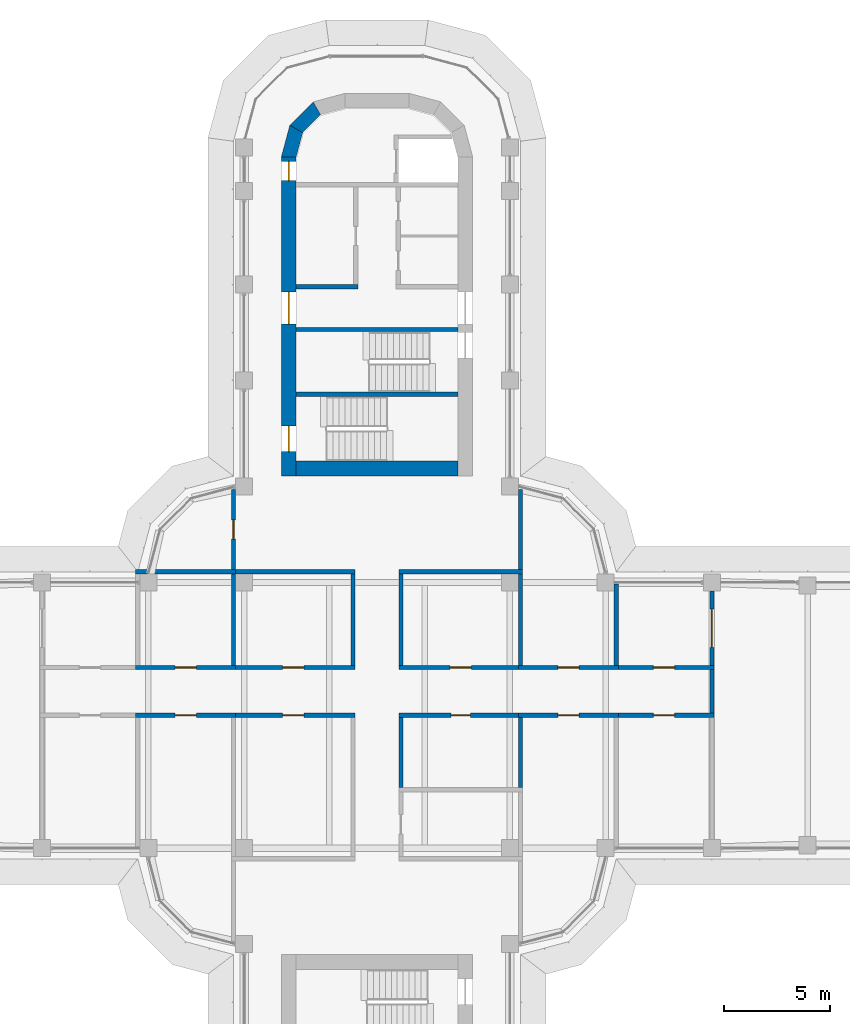
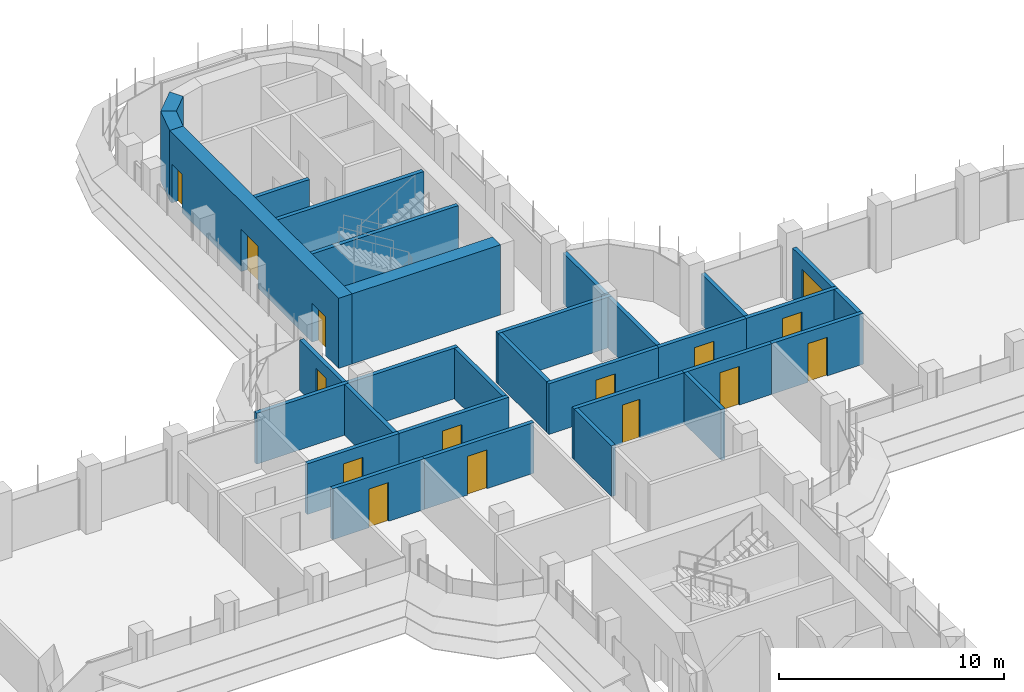
# One storey, part 15 of 20: 31 walls, 15 doors, 15 openings.
"""IFC4 building model written with IfcOpenShell, lengths in metres."""

import ifcopenshell
import ifcopenshell.guid

model = None  # the IFC model being written
_history = None  # IfcOwnerHistory: only IFC2X3 demands one
_inside = {}  # id of a spatial element -> (the spatial element, [elements in it])
_under = {}  # id of a project, library or spatial element -> (it, [spatial elements below it])
_declared = {}  # id of a project -> (the project, [libraries it declares])
_typed = {}  # id of a type object -> (the type object, [elements of that type])
_made_of = {}  # id of a material, layer set ... -> (it, [elements and type objects made of it])


def new_model(schema):
    """Start an empty IFC model of exactly this schema.

    Asked for "IFC4X3", IfcOpenShell would pick the latest addendum, in which some entities
    have other attributes; the version numbers below select the first issue.
    IFC2X3 requires an IfcOwnerHistory on every rooted entity: one is made here for all.
    """
    global model, _history
    if schema == "IFC4X3":
        model = ifcopenshell.file(schema_version=(4, 3, 0, 0))
    else:
        model = ifcopenshell.file(schema=schema)
    _inside.clear()
    _under.clear()
    _declared.clear()
    _typed.clear()
    _made_of.clear()
    _history = None
    if model.schema == "IFC2X3":
        org = make("IfcOrganization", Name="unknown")
        user = make(
            "IfcPersonAndOrganization",
            ThePerson=make("IfcPerson", FamilyName="unknown"),
            TheOrganization=org,
        )
        app = make(
            "IfcApplication",
            ApplicationDeveloper=org,
            Version="unknown",
            ApplicationFullName="unknown",
            ApplicationIdentifier="unknown",
        )
        _history = make(
            "IfcOwnerHistory",
            OwningUser=user,
            OwningApplication=app,
            ChangeAction="ADDED",
            CreationDate=0,
        )
    return model


def make(cls, **values):
    """One entity of the class cls with the attributes given. An attribute that is None is left unset."""
    return model.create_entity(
        cls, **{name: value for name, value in values.items() if value is not None}
    )


def rooted(cls, **values):
    """An entity with a GlobalId (a new one), such as an element, a storey or a relation."""
    return make(cls, GlobalId=ifcopenshell.guid.new(), OwnerHistory=_history, **values)


def si_unit(unit_type, name, prefix=None):
    """IfcSIUnit, for example si_unit("LENGTHUNIT", "METRE", prefix="MILLI")."""
    return make("IfcSIUnit", UnitType=unit_type, Prefix=prefix, Name=name)


def assignment(units):
    """IfcUnitAssignment: the units of a project."""
    return None if units is None else make("IfcUnitAssignment", Units=units)


def point(xyz):
    """IfcCartesianPoint."""
    return None if xyz is None else make("IfcCartesianPoint", Coordinates=xyz)


def direction(xyz):
    """IfcDirection."""
    return None if xyz is None else make("IfcDirection", DirectionRatios=xyz)


def frame(location, z_axis=None, x_axis=None):
    """IfcAxis2Placement3D, a coordinate frame: its origin and axes. An axis left out is left unset."""
    return make(
        "IfcAxis2Placement3D",
        Location=point(location),
        Axis=direction(z_axis),
        RefDirection=direction(x_axis),
    )


def frame_2d(location, x_axis=None):
    """IfcAxis2Placement2D, a coordinate frame in the plane: its origin and x axis."""
    return make(
        "IfcAxis2Placement2D", Location=point(location), RefDirection=direction(x_axis)
    )


def origin():
    """The frame at (0, 0, 0) with its axes left unset."""
    return frame((0.0, 0.0, 0.0))


def place(relative_to, where):
    """IfcLocalPlacement: puts the frame where relative to a parent placement (None: the world)."""
    return make(
        "IfcLocalPlacement", PlacementRelTo=relative_to, RelativePlacement=where
    )


def context(
    kind, dimensions, precision=None, world=None, true_north=None, identifier=None
):
    """IfcGeometricRepresentationContext, for example the 3D "Model" context."""
    return make(
        "IfcGeometricRepresentationContext",
        ContextIdentifier=identifier,
        ContextType=kind,
        CoordinateSpaceDimension=dimensions,
        Precision=precision,
        WorldCoordinateSystem=world,
        TrueNorth=true_north,
    )


def subcontext(parent, identifier, kind, view, scale=None):
    """IfcGeometricRepresentationSubContext, for example "Body" below "Model"."""
    return make(
        "IfcGeometricRepresentationSubContext",
        ContextIdentifier=identifier,
        ContextType=kind,
        ParentContext=parent,
        TargetScale=scale,
        TargetView=view,
    )


def project(units=None, contexts=None):
    """IfcProject with its units and contexts."""
    return rooted(
        "IfcProject",
        Name="project",
        RepresentationContexts=contexts,
        UnitsInContext=assignment(units),
    )


def spatial(cls, under=None, at=None, **own):
    """A site, building, storey or space (cls), placed at a placement, below another one or the project."""
    s = rooted(cls, ObjectPlacement=at, **own)
    if under is not None:
        _under.setdefault(under.id(), (under, []))[1].append(s)
    return s


def polyline(points):
    """IfcPolyline through the points."""
    return make("IfcPolyline", Points=[point(p) for p in points])


def profile(cls, at=None, kind="AREA", **sizes):
    """A parametric profile (cls). Its sizes go by their IFC names, for example OverallWidth=200.0."""
    return make(cls, ProfileType=kind, Position=at, **sizes)


def rectangle(**sizes):
    """IfcRectangleProfileDef."""
    return profile("IfcRectangleProfileDef", **sizes)


def outline(outer, holes=None, kind="AREA"):
    """IfcArbitraryClosedProfileDef: a profile drawn as a closed curve; with holes, ...WithVoids."""
    if holes is None:
        return make("IfcArbitraryClosedProfileDef", ProfileType=kind, OuterCurve=outer)
    return make(
        "IfcArbitraryProfileDefWithVoids",
        ProfileType=kind,
        OuterCurve=outer,
        InnerCurves=holes,
    )


def extrude(swept, where, along, depth):
    """IfcExtrudedAreaSolid: the profile swept, set in the frame where, extruded along a direction by depth."""
    return make(
        "IfcExtrudedAreaSolid",
        SweptArea=swept,
        Position=where,
        ExtrudedDirection=direction(along),
        Depth=depth,
    )


def shape(context_of_items, identifier, shape_type, items):
    """IfcShapeRepresentation: the items that make up one representation, for example the "Body"."""
    return make(
        "IfcShapeRepresentation",
        ContextOfItems=context_of_items,
        RepresentationIdentifier=identifier,
        RepresentationType=shape_type,
        Items=items,
    )


def material(Name=None, Category=None):
    """IfcMaterial."""
    return make("IfcMaterial", Name=Name, Category=Category)


def layer(
    of_material, thickness, ventilated=None, Name=None, Category=None, Priority=None
):
    """IfcMaterialLayer: one layer of a wall or slab, of a material (None: an air gap)."""
    return make(
        "IfcMaterialLayer",
        Material=of_material,
        LayerThickness=thickness,
        IsVentilated=ventilated,
        Name=Name,
        Category=Category,
        Priority=Priority,
    )


def layer_set(layers, Name=None):
    """IfcMaterialLayerSet."""
    return make("IfcMaterialLayerSet", MaterialLayers=layers, LayerSetName=Name)


def made_of(thing, what):
    """Note that an element or type object is made of a material, layer set ...; save() writes the relation."""
    if what is not None:
        _made_of.setdefault(what.id(), (what, []))[1].append(thing)
    return thing


def type_object(cls, material=None, **own):
    """A type object (cls), such as IfcWallType, which elements share."""
    return made_of(rooted(cls, **own), material)


def element(
    cls,
    number,
    at=None,
    inside=None,
    cuts=None,
    type_object=None,
    material=None,
    context=None,
    identifier="Body",
    shape_type=None,
    held_by="IfcProductDefinitionShape",
    body=None,
    shapes=None,
    **own,
):
    """One element of the class cls, such as IfcWall. Its Tag is "e" and its number.

    at: its placement. inside: the storey or other place that contains it. cuts: it is an
    opening in that element (IfcRelVoidsElement). A single representation is given by context,
    identifier, shape_type and body (its items); several are given by shapes. held_by: the class
    of the entity that holds the representations. save() writes the other relations.
    """
    e = rooted(cls, Tag="e%d" % number, ObjectPlacement=at, **own)
    if body is not None:
        shapes = [shape(context, identifier, shape_type, body)]
    if shapes is not None:
        e.Representation = make(held_by, Representations=shapes)
    if inside is not None:
        _inside.setdefault(inside.id(), (inside, []))[1].append(e)
    if cuts is not None:
        rooted(
            "IfcRelVoidsElement", RelatingBuildingElement=cuts, RelatedOpeningElement=e
        )
    if type_object is not None:
        _typed.setdefault(type_object.id(), (type_object, []))[1].append(e)
    return made_of(e, material)


def fill(opening, filler):
    """IfcRelFillsElement: the door or window that sits in an opening."""
    return rooted(
        "IfcRelFillsElement",
        RelatingOpeningElement=opening,
        RelatedBuildingElement=filler,
    )


def aggregate(whole, parts):
    """IfcRelAggregates: a whole, such as a stair, and the parts it consists of."""
    return rooted("IfcRelAggregates", RelatingObject=whole, RelatedObjects=parts)


def save(model, path):
    """Write the relations noted so far, then the file.

    IfcRelAggregates (storeys below a building ...), IfcRelContainedInSpatialStructure (elements
    in a storey), IfcRelDefinesByType, IfcRelAssociatesMaterial and IfcRelDeclares: one each for
    every whole, place, type object, material and project.
    """
    for whole, parts in _under.values():
        aggregate(whole, parts)
    for where, things in _inside.values():
        rooted(
            "IfcRelContainedInSpatialStructure",
            RelatedElements=things,
            RelatingStructure=where,
        )
    for kind, things in _typed.values():
        rooted("IfcRelDefinesByType", RelatedObjects=things, RelatingType=kind)
    for what, things in _made_of.values():
        rooted("IfcRelAssociatesMaterial", RelatedObjects=things, RelatingMaterial=what)
    for by, libraries in _declared.values():
        rooted("IfcRelDeclares", RelatingContext=by, RelatedDefinitions=libraries)
    model.write(path)


model = new_model("IFC4")

# Units and contexts
model_context = context("Model", 3, precision=1e-05, world=origin(), true_north=direction((0.0, 1.0)))
body_context = subcontext(model_context, "Body", "Model", "MODEL_VIEW")
ifc_project = project(units=[si_unit("LENGTHUNIT", "METRE"), si_unit("AREAUNIT", "SQUARE_METRE"), si_unit("VOLUMEUNIT", "CUBIC_METRE"), si_unit("PLANEANGLEUNIT", "RADIAN"), si_unit("MASSUNIT", "GRAM", prefix="KILO")], contexts=[model_context])

# Site, building, storey
site_placement = place(None, origin())
site = spatial("IfcSite", under=ifc_project, at=site_placement, CompositionType="ELEMENT")
building_placement = place(site_placement, origin())
building = spatial("IfcBuilding", under=site, at=building_placement, Name="Zarbagh Exchange Tower", CompositionType="ELEMENT")
storey_placement = place(building_placement, frame((0.0, 0.0, 144.800048828125)))
storey = spatial("IfcBuildingStorey", under=building, at=storey_placement, Name="L34", CompositionType="ELEMENT", Elevation=144.800048828125)

# Wall, opening, door
ifc_material_1 = material(Name="Fire-rated plasterboard partition")
ifc_layer_1 = layer(ifc_material_1, 0.199951171875)
ifc_layer_set_1 = layer_set([ifc_layer_1], Name="RATED PARTITION 200")
wall_type_1 = type_object("IfcWallType", Name="RATED PARTITION 200", PredefinedType="PARTITIONING", material=ifc_layer_set_1)
wall_1_placement = place(storey_placement, frame((1.02490234375, 2.25, 0.0), z_axis=(0.0, 0.0, 1.0), x_axis=(1.0, 0.0, 0.0)))
wall_1 = element("IfcWall", 1, at=wall_1_placement, inside=storey, type_object=wall_type_1, Name="Partition W-1501", PredefinedType="PARTITIONING", context=body_context, shape_type="SweptSolid", body=[
    extrude(rectangle(XDim=5.8251953125, YDim=0.199951171875, at=frame_2d((2.91259765625, 0.0))), origin(), (0.0, 0.0, 1.0), 2.75),
])
opening_1_placement = place(wall_1_placement, frame((2.41259765625, 0.0, 0.0)))
opening_1 = element("IfcOpeningElement", 2, at=opening_1_placement, cuts=wall_1, Name="Opening D-1504", PredefinedType="OPENING", context=body_context, shape_type="SweptSolid", body=[
    extrude(rectangle(XDim=1.0, YDim=2.10009765625, at=frame_2d((0.5, 1.050048828125))), frame((0.0, 0.10986328125, 0.0), z_axis=(0.0, -1.0, 0.0), x_axis=(1.0, 0.0, 0.0)), (0.0, 0.0, 1.0), 0.219970703125),
])
ifc_material_2 = material(Name="Steel door set", Category="steel")
door_type_1 = type_object("IfcDoorType", Name="FIRE DOOR 1000 X 2100 FD30S", OperationType="NOTDEFINED", PredefinedType="DOOR", material=ifc_material_2)
door_1_placement = place(opening_1_placement, origin())
door_1 = element("IfcDoor", 3, at=door_1_placement, inside=storey, type_object=door_type_1, Name="Door D-1504", OperationType="SINGLE_SWING_RIGHT", OverallHeight=2.10009765625, OverallWidth=1.0, PredefinedType="DOOR", context=body_context, shape_type="SweptSolid", body=[
    extrude(rectangle(XDim=1.0, YDim=2.10009765625, at=frame_2d((0.5, 1.050048828125))), frame((0.0, 0.02490234375, 0.0), z_axis=(0.0, -1.0, 0.0), x_axis=(1.0, 0.0, 0.0)), (0.0, 0.0, 1.0), 0.050048828125),
])
fill(opening_1, door_1)

wall_2_placement = place(storey_placement, frame((6.64990234375, 2.25, 0.0), z_axis=(0.0, 0.0, 1.0), x_axis=(1.0, 0.0, 0.0)))
wall_2 = element("IfcWall", 4, at=wall_2_placement, inside=storey, type_object=wall_type_1, Name="Partition W-1502", PredefinedType="PARTITIONING", context=body_context, shape_type="SweptSolid", body=[
    extrude(rectangle(XDim=4.7001953125, YDim=0.199951171875, at=frame_2d((2.35009765625, 0.0))), origin(), (0.0, 0.0, 1.0), 2.75),
])
opening_2_placement = place(wall_2_placement, frame((1.85009765625, 0.0, 0.0)))
opening_2 = element("IfcOpeningElement", 5, at=opening_2_placement, cuts=wall_2, Name="Opening D-1505", PredefinedType="OPENING", context=body_context, shape_type="SweptSolid", body=[
    extrude(rectangle(XDim=1.0, YDim=2.10009765625, at=frame_2d((0.5, 1.050048828125))), frame((0.0, 0.10986328125, 0.0), z_axis=(0.0, -1.0, 0.0), x_axis=(1.0, 0.0, 0.0)), (0.0, 0.0, 1.0), 0.219970703125),
])
door_2_placement = place(opening_2_placement, origin())
door_2 = element("IfcDoor", 6, at=door_2_placement, inside=storey, type_object=door_type_1, Name="Door D-1505", OperationType="SINGLE_SWING_RIGHT", OverallHeight=2.10009765625, OverallWidth=1.0, PredefinedType="DOOR", context=body_context, shape_type="SweptSolid", body=[
    extrude(rectangle(XDim=1.0, YDim=2.10009765625, at=frame_2d((0.5, 1.050048828125))), frame((0.0, 0.02490234375, 0.0), z_axis=(0.0, -1.0, 0.0), x_axis=(1.0, 0.0, 0.0)), (0.0, 0.0, 1.0), 0.050048828125),
])
fill(opening_2, door_2)

wall_3_placement = place(storey_placement, frame((-6.85009765625, 2.25, 0.0), z_axis=(0.0, 0.0, 1.0), x_axis=(1.0, 0.0, 0.0)))
wall_3 = element("IfcWall", 7, at=wall_3_placement, inside=storey, type_object=wall_type_1, Name="Partition W-1503", PredefinedType="PARTITIONING", context=body_context, shape_type="SweptSolid", body=[
    extrude(rectangle(XDim=5.8251953125, YDim=0.199951171875, at=frame_2d((2.91259765625, 0.0))), origin(), (0.0, 0.0, 1.0), 2.75),
])
opening_3_placement = place(wall_3_placement, frame((2.41259765625, 0.0, 0.0)))
opening_3 = element("IfcOpeningElement", 8, at=opening_3_placement, cuts=wall_3, Name="Opening D-1506", PredefinedType="OPENING", context=body_context, shape_type="SweptSolid", body=[
    extrude(rectangle(XDim=1.0, YDim=2.10009765625, at=frame_2d((0.5, 1.050048828125))), frame((0.0, 0.10986328125, 0.0), z_axis=(0.0, -1.0, 0.0), x_axis=(1.0, 0.0, 0.0)), (0.0, 0.0, 1.0), 0.219970703125),
])
door_3_placement = place(opening_3_placement, origin())
door_3 = element("IfcDoor", 9, at=door_3_placement, inside=storey, type_object=door_type_1, Name="Door D-1506", OperationType="SINGLE_SWING_RIGHT", OverallHeight=2.10009765625, OverallWidth=1.0, PredefinedType="DOOR", context=body_context, shape_type="SweptSolid", body=[
    extrude(rectangle(XDim=1.0, YDim=2.10009765625, at=frame_2d((0.5, 1.050048828125))), frame((0.0, 0.02490234375, 0.0), z_axis=(0.0, -1.0, 0.0), x_axis=(1.0, 0.0, 0.0)), (0.0, 0.0, 1.0), 0.050048828125),
])
fill(opening_3, door_3)

wall_4_placement = place(storey_placement, frame((-11.35009765625, 2.25, 0.0), z_axis=(0.0, 0.0, 1.0), x_axis=(1.0, 0.0, 0.0)))
wall_4 = element("IfcWall", 10, at=wall_4_placement, inside=storey, type_object=wall_type_1, Name="Partition W-1504", PredefinedType="PARTITIONING", context=body_context, shape_type="SweptSolid", body=[
    extrude(rectangle(XDim=4.7001953125, YDim=0.199951171875, at=frame_2d((2.35009765625, 0.0))), origin(), (0.0, 0.0, 1.0), 2.75),
])
opening_4_placement = place(wall_4_placement, frame((1.85009765625, 0.0, 0.0)))
opening_4 = element("IfcOpeningElement", 11, at=opening_4_placement, cuts=wall_4, Name="Opening D-1507", PredefinedType="OPENING", context=body_context, shape_type="SweptSolid", body=[
    extrude(rectangle(XDim=1.0, YDim=2.10009765625, at=frame_2d((0.5, 1.050048828125))), frame((0.0, 0.10986328125, 0.0), z_axis=(0.0, -1.0, 0.0), x_axis=(1.0, 0.0, 0.0)), (0.0, 0.0, 1.0), 0.219970703125),
])
door_4_placement = place(opening_4_placement, origin())
door_4 = element("IfcDoor", 12, at=door_4_placement, inside=storey, type_object=door_type_1, Name="Door D-1507", OperationType="SINGLE_SWING_RIGHT", OverallHeight=2.10009765625, OverallWidth=1.0, PredefinedType="DOOR", context=body_context, shape_type="SweptSolid", body=[
    extrude(rectangle(XDim=1.0, YDim=2.10009765625, at=frame_2d((0.5, 1.050048828125))), frame((0.0, 0.02490234375, 0.0), z_axis=(0.0, -1.0, 0.0), x_axis=(1.0, 0.0, 0.0)), (0.0, 0.0, 1.0), 0.050048828125),
])
fill(opening_4, door_4)

wall_5_placement = place(storey_placement, frame((6.85009765625, 0.0, 0.0), z_axis=(0.0, 0.0, 1.0), x_axis=(-1.0, 0.0, 0.0)))
wall_5 = element("IfcWall", 13, at=wall_5_placement, inside=storey, type_object=wall_type_1, Name="Partition W-1505", PredefinedType="PARTITIONING", context=body_context, shape_type="SweptSolid", body=[
    extrude(rectangle(XDim=5.8251953125, YDim=0.199951171875, at=frame_2d((2.91259765625, 0.0))), origin(), (0.0, 0.0, 1.0), 2.75),
])
opening_5_placement = place(wall_5_placement, frame((2.46240234375, 0.0, 0.0)))
opening_5 = element("IfcOpeningElement", 14, at=opening_5_placement, cuts=wall_5, Name="Opening D-1509", PredefinedType="OPENING", context=body_context, shape_type="SweptSolid", body=[
    extrude(rectangle(XDim=0.89990234375, YDim=2.10009765625, at=frame_2d((0.449951171875, 1.050048828125))), frame((0.0, 0.10986328125, 0.0), z_axis=(0.0, -1.0, 0.0), x_axis=(1.0, 0.0, 0.0)), (0.0, 0.0, 1.0), 0.219970703125),
])
ifc_material_3 = material(Name="Timber door leaf", Category="wood")
door_type_2 = type_object("IfcDoorType", Name="DOOR 900 X 2100", OperationType="NOTDEFINED", PredefinedType="DOOR", material=ifc_material_3)
door_5_placement = place(opening_5_placement, origin())
door_5 = element("IfcDoor", 15, at=door_5_placement, inside=storey, type_object=door_type_2, Name="Door D-1509", OperationType="SINGLE_SWING_RIGHT", OverallHeight=2.10009765625, OverallWidth=0.89990234375, PredefinedType="DOOR", context=body_context, shape_type="SweptSolid", body=[
    extrude(rectangle(XDim=0.89990234375, YDim=2.10009765625, at=frame_2d((0.449951171875, 1.050048828125))), frame((0.0, 0.02490234375, 0.0), z_axis=(0.0, -1.0, 0.0), x_axis=(1.0, 0.0, 0.0)), (0.0, 0.0, 1.0), 0.050048828125),
])
fill(opening_5, door_5)

wall_6_placement = place(storey_placement, frame((11.35009765625, 0.0, 0.0), z_axis=(0.0, 0.0, 1.0), x_axis=(-1.0, 0.0, 0.0)))
wall_6 = element("IfcWall", 16, at=wall_6_placement, inside=storey, type_object=wall_type_1, Name="Partition W-1506", PredefinedType="PARTITIONING", context=body_context, shape_type="SweptSolid", body=[
    extrude(rectangle(XDim=4.7001953125, YDim=0.199951171875, at=frame_2d((2.35009765625, 0.0))), origin(), (0.0, 0.0, 1.0), 2.75),
])
opening_6_placement = place(wall_6_placement, frame((1.85009765625, 0.0, 0.0)))
opening_6 = element("IfcOpeningElement", 17, at=opening_6_placement, cuts=wall_6, Name="Opening D-1511", PredefinedType="OPENING", context=body_context, shape_type="SweptSolid", body=[
    extrude(rectangle(XDim=1.0, YDim=2.10009765625, at=frame_2d((0.5, 1.050048828125))), frame((0.0, 0.10986328125, 0.0), z_axis=(0.0, -1.0, 0.0), x_axis=(1.0, 0.0, 0.0)), (0.0, 0.0, 1.0), 0.219970703125),
])
door_6_placement = place(opening_6_placement, origin())
door_6 = element("IfcDoor", 18, at=door_6_placement, inside=storey, type_object=door_type_1, Name="Door D-1511", OperationType="SINGLE_SWING_RIGHT", OverallHeight=2.10009765625, OverallWidth=1.0, PredefinedType="DOOR", context=body_context, shape_type="SweptSolid", body=[
    extrude(rectangle(XDim=1.0, YDim=2.10009765625, at=frame_2d((0.5, 1.050048828125))), frame((0.0, 0.02490234375, 0.0), z_axis=(0.0, -1.0, 0.0), x_axis=(1.0, 0.0, 0.0)), (0.0, 0.0, 1.0), 0.050048828125),
])
fill(opening_6, door_6)

wall_7_placement = place(storey_placement, frame((-1.02490234375, 0.0, 0.0), z_axis=(0.0, 0.0, 1.0), x_axis=(-1.0, 0.0, 0.0)))
wall_7 = element("IfcWall", 19, at=wall_7_placement, inside=storey, type_object=wall_type_1, Name="Partition W-1507", PredefinedType="PARTITIONING", context=body_context, shape_type="SweptSolid", body=[
    extrude(rectangle(XDim=5.8251953125, YDim=0.199951171875, at=frame_2d((2.91259765625, 0.0))), origin(), (0.0, 0.0, 1.0), 2.75),
])
opening_7_placement = place(wall_7_placement, frame((2.41259765625, 0.0, 0.0)))
opening_7 = element("IfcOpeningElement", 20, at=opening_7_placement, cuts=wall_7, Name="Opening D-1512", PredefinedType="OPENING", context=body_context, shape_type="SweptSolid", body=[
    extrude(rectangle(XDim=1.0, YDim=2.10009765625, at=frame_2d((0.5, 1.050048828125))), frame((0.0, 0.10986328125, 0.0), z_axis=(0.0, -1.0, 0.0), x_axis=(1.0, 0.0, 0.0)), (0.0, 0.0, 1.0), 0.219970703125),
])
door_7_placement = place(opening_7_placement, origin())
door_7 = element("IfcDoor", 21, at=door_7_placement, inside=storey, type_object=door_type_1, Name="Door D-1512", OperationType="SINGLE_SWING_RIGHT", OverallHeight=2.10009765625, OverallWidth=1.0, PredefinedType="DOOR", context=body_context, shape_type="SweptSolid", body=[
    extrude(rectangle(XDim=1.0, YDim=2.10009765625, at=frame_2d((0.5, 1.050048828125))), frame((0.0, 0.02490234375, 0.0), z_axis=(0.0, -1.0, 0.0), x_axis=(1.0, 0.0, 0.0)), (0.0, 0.0, 1.0), 0.050048828125),
])
fill(opening_7, door_7)

wall_8_placement = place(storey_placement, frame((-6.64990234375, 0.0, 0.0), z_axis=(0.0, 0.0, 1.0), x_axis=(-1.0, 0.0, 0.0)))
wall_8 = element("IfcWall", 22, at=wall_8_placement, inside=storey, type_object=wall_type_1, Name="Partition W-1508", PredefinedType="PARTITIONING", context=body_context, shape_type="SweptSolid", body=[
    extrude(rectangle(XDim=4.7001953125, YDim=0.199951171875, at=frame_2d((2.35009765625, 0.0))), origin(), (0.0, 0.0, 1.0), 2.75),
])
opening_8_placement = place(wall_8_placement, frame((1.85009765625, 0.0, 0.0)))
opening_8 = element("IfcOpeningElement", 23, at=opening_8_placement, cuts=wall_8, Name="Opening D-1513", PredefinedType="OPENING", context=body_context, shape_type="SweptSolid", body=[
    extrude(rectangle(XDim=1.0, YDim=2.10009765625, at=frame_2d((0.5, 1.050048828125))), frame((0.0, 0.10986328125, 0.0), z_axis=(0.0, -1.0, 0.0), x_axis=(1.0, 0.0, 0.0)), (0.0, 0.0, 1.0), 0.219970703125),
])
door_8_placement = place(opening_8_placement, origin())
door_8 = element("IfcDoor", 24, at=door_8_placement, inside=storey, type_object=door_type_1, Name="Door D-1513", OperationType="SINGLE_SWING_RIGHT", OverallHeight=2.10009765625, OverallWidth=1.0, PredefinedType="DOOR", context=body_context, shape_type="SweptSolid", body=[
    extrude(rectangle(XDim=1.0, YDim=2.10009765625, at=frame_2d((0.5, 1.050048828125))), frame((0.0, 0.02490234375, 0.0), z_axis=(0.0, -1.0, 0.0), x_axis=(1.0, 0.0, 0.0)), (0.0, 0.0, 1.0), 0.050048828125),
])
fill(opening_8, door_8)

wall_9_placement = place(storey_placement, frame((11.14990234375, 2.25, 0.0), z_axis=(0.0, 0.0, 1.0), x_axis=(1.0, 0.0, 0.0)))
wall_9 = element("IfcWall", 25, at=wall_9_placement, inside=storey, type_object=wall_type_1, Name="Partition W-1509", PredefinedType="PARTITIONING", context=body_context, shape_type="SweptSolid", body=[
    extrude(rectangle(XDim=4.7001953125, YDim=0.199951171875, at=frame_2d((2.35009765625, 0.0))), origin(), (0.0, 0.0, 1.0), 2.75),
])
opening_9_placement = place(wall_9_placement, frame((1.85009765625, 0.0, 0.0)))
opening_9 = element("IfcOpeningElement", 26, at=opening_9_placement, cuts=wall_9, Name="Opening D-1502", PredefinedType="OPENING", context=body_context, shape_type="SweptSolid", body=[
    extrude(rectangle(XDim=1.0, YDim=2.10009765625, at=frame_2d((0.5, 1.050048828125))), frame((0.0, 0.10986328125, 0.0), z_axis=(0.0, -1.0, 0.0), x_axis=(1.0, 0.0, 0.0)), (0.0, 0.0, 1.0), 0.219970703125),
])
door_9_placement = place(opening_9_placement, origin())
door_9 = element("IfcDoor", 27, at=door_9_placement, inside=storey, type_object=door_type_1, Name="Door D-1502", OperationType="SINGLE_SWING_RIGHT", OverallHeight=2.10009765625, OverallWidth=1.0, PredefinedType="DOOR", context=body_context, shape_type="SweptSolid", body=[
    extrude(rectangle(XDim=1.0, YDim=2.10009765625, at=frame_2d((0.5, 1.050048828125))), frame((0.0, 0.02490234375, 0.0), z_axis=(0.0, -1.0, 0.0), x_axis=(1.0, 0.0, 0.0)), (0.0, 0.0, 1.0), 0.050048828125),
])
fill(opening_9, door_9)

wall_10_placement = place(storey_placement, frame((15.85009765625, 0.0, 0.0), z_axis=(0.0, 0.0, 1.0), x_axis=(-1.0, 0.0, 0.0)))
wall_10 = element("IfcWall", 28, at=wall_10_placement, inside=storey, type_object=wall_type_1, Name="Partition W-1510", PredefinedType="PARTITIONING", context=body_context, shape_type="SweptSolid", body=[
    extrude(rectangle(XDim=4.7001953125, YDim=0.199951171875, at=frame_2d((2.35009765625, 0.0))), origin(), (0.0, 0.0, 1.0), 2.75),
])
opening_10_placement = place(wall_10_placement, frame((1.85009765625, 0.0, 0.0)))
opening_10 = element("IfcOpeningElement", 29, at=opening_10_placement, cuts=wall_10, Name="Opening D-1503", PredefinedType="OPENING", context=body_context, shape_type="SweptSolid", body=[
    extrude(rectangle(XDim=1.0, YDim=2.10009765625, at=frame_2d((0.5, 1.050048828125))), frame((0.0, 0.10986328125, 0.0), z_axis=(0.0, -1.0, 0.0), x_axis=(1.0, 0.0, 0.0)), (0.0, 0.0, 1.0), 0.219970703125),
])
door_10_placement = place(opening_10_placement, origin())
door_10 = element("IfcDoor", 30, at=door_10_placement, inside=storey, type_object=door_type_1, Name="Door D-1503", OperationType="SINGLE_SWING_RIGHT", OverallHeight=2.10009765625, OverallWidth=1.0, PredefinedType="DOOR", context=body_context, shape_type="SweptSolid", body=[
    extrude(rectangle(XDim=1.0, YDim=2.10009765625, at=frame_2d((0.5, 1.050048828125))), frame((0.0, 0.02490234375, 0.0), z_axis=(0.0, -1.0, 0.0), x_axis=(1.0, 0.0, 0.0)), (0.0, 0.0, 1.0), 0.050048828125),
])
fill(opening_10, door_10)

# Walls
wall_11_placement = place(storey_placement, frame((15.75, 0.10009765625, 0.0), z_axis=(0.0, 0.0, 1.0), x_axis=(0.0, 1.0, 0.0)))
element("IfcWall", 31, at=wall_11_placement, inside=storey, type_object=wall_type_1, Name="Partition W-1511", PredefinedType="PARTITIONING", context=body_context, shape_type="SweptSolid", body=[
    extrude(rectangle(XDim=2.0498046875, YDim=0.199951171875, at=frame_2d((1.02490234375, 0.0))), origin(), (0.0, 0.0, 1.0), 2.75),
])
for number, where, z_axis, x_axis, name in (
    (32, (1.125, 2.35009765625, 0.0), (0.0, 0.0, 1.0), (0.0, 1.0, 0.0), "Partition W-1515"),
    (33, (-1.125, 2.35009765625, 0.0), (0.0, 0.0, 1.0), (0.0, 1.0, 0.0), "Partition W-1516"),
):
    element("IfcWall", number, at=place(storey_placement, frame(where, z_axis=z_axis, x_axis=x_axis)), inside=storey, type_object=wall_type_1, Name=name, PredefinedType="PARTITIONING", context=body_context, shape_type="SweptSolid", body=[
        extrude(rectangle(XDim=4.2998046875, YDim=0.199951171875, at=frame_2d((2.14990234375, 0.0))), origin(), (0.0, 0.0, 1.0), 2.75),
    ])
wall_12_placement = place(storey_placement, frame((1.125, -3.39990234375, 0.0), z_axis=(0.0, 0.0, 1.0), x_axis=(0.0, 1.0, 0.0)))
element("IfcWall", 34, at=wall_12_placement, inside=storey, type_object=wall_type_1, Name="Partition W-1517", PredefinedType="PARTITIONING", context=body_context, shape_type="SweptSolid", body=[
    extrude(rectangle(XDim=3.2998046875, YDim=0.199951171875, at=frame_2d((1.64990234375, 0.0))), origin(), (0.0, 0.0, 1.0), 2.75),
])
wall_13_placement = place(storey_placement, frame((1.02490234375, 6.75, 0.0), z_axis=(0.0, 0.0, 1.0), x_axis=(1.0, 0.0, 0.0)))
element("IfcWall", 35, at=wall_13_placement, inside=storey, type_object=wall_type_1, Name="Partition W-1520", PredefinedType="PARTITIONING", context=body_context, shape_type="SweptSolid", body=[
    extrude(rectangle(XDim=5.8251953125, YDim=0.199951171875, at=frame_2d((2.91259765625, 0.0))), origin(), (0.0, 0.0, 1.0), 2.75),
])
wall_14_placement = place(storey_placement, frame((6.75, 6.85009765625, 0.0), z_axis=(0.0, 0.0, 1.0), x_axis=(0.0, 1.0, 0.0)))
element("IfcWall", 36, at=wall_14_placement, inside=storey, type_object=wall_type_1, Name="Partition W-1521", PredefinedType="PARTITIONING", context=body_context, shape_type="SweptSolid", body=[
    extrude(rectangle(XDim=3.77978515625, YDim=0.199951171875, at=frame_2d((1.889892578125, 0.0))), origin(), (0.0, 0.0, 1.0), 2.75),
])
wall_15_placement = place(storey_placement, frame((-6.85009765625, 6.75, 0.0), z_axis=(0.0, 0.0, 1.0), x_axis=(1.0, 0.0, 0.0)))
element("IfcWall", 37, at=wall_15_placement, inside=storey, type_object=wall_type_1, Name="Partition W-1522", PredefinedType="PARTITIONING", context=body_context, shape_type="SweptSolid", body=[
    extrude(rectangle(XDim=5.8251953125, YDim=0.199951171875, at=frame_2d((2.91259765625, 0.0))), origin(), (0.0, 0.0, 1.0), 2.75),
])

# Wall, opening, door
wall_16_placement = place(storey_placement, frame((-6.75, 6.85009765625, 0.0), z_axis=(0.0, 0.0, 1.0), x_axis=(0.0, 1.0, 0.0)))
wall_16 = element("IfcWall", 38, at=wall_16_placement, inside=storey, type_object=wall_type_1, Name="Partition W-1523", PredefinedType="PARTITIONING", context=body_context, shape_type="SweptSolid", body=[
    extrude(rectangle(XDim=3.77978515625, YDim=0.199951171875, at=frame_2d((1.889892578125, 0.0))), origin(), (0.0, 0.0, 1.0), 2.75),
])
opening_11_placement = place(wall_16_placement, frame((1.43994140625, 0.0, 0.0)))
opening_11 = element("IfcOpeningElement", 39, at=opening_11_placement, cuts=wall_16, Name="Opening D-1508", PredefinedType="OPENING", context=body_context, shape_type="SweptSolid", body=[
    extrude(rectangle(XDim=0.89990234375, YDim=2.10009765625, at=frame_2d((0.449951171875, 1.050048828125))), frame((0.0, 0.10986328125, 0.0), z_axis=(0.0, -1.0, 0.0), x_axis=(1.0, 0.0, 0.0)), (0.0, 0.0, 1.0), 0.219970703125),
])
door_11_placement = place(opening_11_placement, origin())
door_11 = element("IfcDoor", 40, at=door_11_placement, inside=storey, type_object=door_type_2, Name="Door D-1508", OperationType="SINGLE_SWING_LEFT", OverallHeight=2.10009765625, OverallWidth=0.89990234375, PredefinedType="DOOR", context=body_context, shape_type="SweptSolid", body=[
    extrude(rectangle(XDim=0.89990234375, YDim=2.10009765625, at=frame_2d((0.449951171875, 1.050048828125))), frame((0.0, 0.02490234375, 0.0), z_axis=(0.0, -1.0, 0.0), x_axis=(1.0, 0.0, 0.0)), (0.0, 0.0, 1.0), 0.050048828125),
])
fill(opening_11, door_11)

# Walls
wall_17_placement = place(storey_placement, frame((6.75, 2.35009765625, 0.0), z_axis=(0.0, 0.0, 1.0), x_axis=(0.0, 1.0, 0.0)))
element("IfcWall", 41, at=wall_17_placement, inside=storey, type_object=wall_type_1, Name="Partition W-1528", PredefinedType="PARTITIONING", context=body_context, shape_type="SweptSolid", body=[
    extrude(rectangle(XDim=4.2998046875, YDim=0.199951171875, at=frame_2d((2.14990234375, 0.0))), origin(), (0.0, 0.0, 1.0), 2.75),
])
wall_18_placement = place(storey_placement, frame((11.25, 2.35009765625, 0.0), z_axis=(0.0, 0.0, 1.0), x_axis=(0.0, 1.0, 0.0)))
element("IfcWall", 42, at=wall_18_placement, inside=storey, type_object=wall_type_1, Name="Partition W-1529", PredefinedType="PARTITIONING", context=body_context, shape_type="SweptSolid", body=[
    extrude(rectangle(XDim=3.81982421875, YDim=0.199951171875, at=frame_2d((1.909912109375, 0.0))), origin(), (0.0, 0.0, 1.0), 2.75),
])
wall_19_placement = place(storey_placement, frame((-6.75, 2.35009765625, 0.0), z_axis=(0.0, 0.0, 1.0), x_axis=(0.0, 1.0, 0.0)))
element("IfcWall", 43, at=wall_19_placement, inside=storey, type_object=wall_type_1, Name="Partition W-1530", PredefinedType="PARTITIONING", context=body_context, shape_type="SweptSolid", body=[
    extrude(rectangle(XDim=4.2998046875, YDim=0.199951171875, at=frame_2d((2.14990234375, 0.0))), origin(), (0.0, 0.0, 1.0), 2.75),
])
wall_20_placement = place(storey_placement, frame((-11.35009765625, 6.75, 0.0), z_axis=(0.0, 0.0, 1.0), x_axis=(1.0, 0.0, 0.0)))
element("IfcWall", 44, at=wall_20_placement, inside=storey, type_object=wall_type_1, Name="Partition W-1531", PredefinedType="PARTITIONING", context=body_context, shape_type="SweptSolid", body=[
    extrude(rectangle(XDim=4.7001953125, YDim=0.199951171875, at=frame_2d((2.35009765625, 0.0))), origin(), (0.0, 0.0, 1.0), 2.75),
])
wall_21_placement = place(storey_placement, frame((6.75, -3.39990234375, 0.0), z_axis=(0.0, 0.0, 1.0), x_axis=(0.0, 1.0, 0.0)))
element("IfcWall", 45, at=wall_21_placement, inside=storey, type_object=wall_type_1, Name="Partition W-1534", PredefinedType="PARTITIONING", context=body_context, shape_type="SweptSolid", body=[
    extrude(rectangle(XDim=3.2998046875, YDim=0.199951171875, at=frame_2d((1.64990234375, 0.0))), origin(), (0.0, 0.0, 1.0), 2.75),
])

# Wall, opening, door
wall_22_placement = place(storey_placement, frame((15.75, 5.85009765625, 0.0), z_axis=(0.0, 0.0, 1.0), x_axis=(0.0, -1.0, 0.0)))
wall_22 = element("IfcWall", 46, at=wall_22_placement, inside=storey, type_object=wall_type_1, Name="Partition W-1539", PredefinedType="PARTITIONING", context=body_context, shape_type="SweptSolid", body=[
    extrude(rectangle(XDim=3.5, YDim=0.199951171875, at=frame_2d((1.75, 0.0))), origin(), (0.0, 0.0, 1.0), 2.75),
])
opening_12_placement = place(wall_22_placement, frame((0.85009765625, 0.0, 0.0)))
opening_12 = element("IfcOpeningElement", 47, at=opening_12_placement, cuts=wall_22, Name="Opening D-1501", PredefinedType="OPENING", context=body_context, shape_type="SweptSolid", body=[
    extrude(rectangle(XDim=1.800048828125, YDim=2.10009765625, at=frame_2d((0.89990234375, 1.050048828125))), frame((0.0, 0.10986328125, 0.0), z_axis=(0.0, -1.0, 0.0), x_axis=(1.0, 0.0, 0.0)), (0.0, 0.0, 1.0), 0.219970703125),
])
door_type_3 = type_object("IfcDoorType", Name="FIRE DOUBLE DOOR 1800 X 2100 FD30S", OperationType="DOUBLE_DOOR_SINGLE_SWING", PredefinedType="DOOR", material=ifc_material_2)
door_12_placement = place(opening_12_placement, origin())
door_12 = element("IfcDoor", 48, at=door_12_placement, inside=storey, type_object=door_type_3, Name="Door D-1501", OperationType="DOUBLE_DOOR_SINGLE_SWING", OverallHeight=2.10009765625, OverallWidth=1.800048828125, PredefinedType="DOOR", context=body_context, shape_type="SweptSolid", body=[
    extrude(rectangle(XDim=1.800048828125, YDim=2.10009765625, at=frame_2d((0.89990234375, 1.050048828125))), frame((0.0, 0.02490234375, 0.0), z_axis=(0.0, -1.0, 0.0), x_axis=(1.0, 0.0, 0.0)), (0.0, 0.0, 1.0), 0.050048828125),
])
fill(opening_12, door_12)

# Walls
ifc_material_4 = material(Name="Concrete C50/60", Category="concrete")
ifc_layer_2 = layer(ifc_material_4, 0.699951171875)
ifc_layer_set_2 = layer_set([ifc_layer_2], Name="RC core corner wall 700 C50/60")
wall_type_2 = type_object("IfcWallType", Name="RC core corner wall 700 C50/60", PredefinedType="SHEAR", material=ifc_layer_set_2)
wall_23_placement = place(storey_placement, origin())
element("IfcWall", 49, at=wall_23_placement, inside=storey, type_object=wall_type_2, Name="CW6 core N corner W", PredefinedType="SHEAR", context=body_context, shape_type="SweptSolid", body=[
    extrude(outline(polyline([(-4.5, 26.25), (-4.09814453125, 27.75), (-3.491943359375, 27.39990234375), (-3.800048828125, 26.25), (-4.5, 26.25)])), origin(), (0.0, 0.0, 1.0), 3.800048828125),
])
wall_24_placement = place(storey_placement, origin())
element("IfcWall", 50, at=wall_24_placement, inside=storey, type_object=wall_type_2, Name="CW6 core N corner W", PredefinedType="SHEAR", context=body_context, shape_type="SweptSolid", body=[
    extrude(outline(polyline([(-4.09814453125, 27.75), (-3.0, 28.84814453125), (-2.64990234375, 28.241943359375), (-3.491943359375, 27.39990234375), (-4.09814453125, 27.75)])), origin(), (0.0, 0.0, 1.0), 3.800048828125),
])

# Wall, openings, doors
ifc_layer_3 = layer(ifc_material_4, 0.699951171875)
ifc_layer_set_3 = layer_set([ifc_layer_3], Name="RC core wall 700 C50/60")
wall_type_3 = type_object("IfcWallType", Name="RC core wall 700 C50/60", PredefinedType="SHEAR", material=ifc_layer_set_3)
wall_25_placement = place(storey_placement, frame((-4.14990234375, 11.25, 0.0), z_axis=(0.0, 0.0, 1.0), x_axis=(0.0, 1.0, 0.0)))
wall_25 = element("IfcWall", 51, at=wall_25_placement, inside=storey, type_object=wall_type_3, Name="CW5 core N W", PredefinedType="SHEAR", context=body_context, shape_type="SweptSolid", body=[
    extrude(rectangle(XDim=15.0, YDim=0.699951171875, at=frame_2d((7.5, 0.0))), origin(), (0.0, 0.0, 1.0), 3.800048828125),
])
opening_13_placement = place(wall_25_placement, frame((7.14990234375, 0.0, 0.0)))
opening_13 = element("IfcOpeningElement", 52, at=opening_13_placement, cuts=wall_25, Name="Opening CD1-1500", PredefinedType="OPENING", context=body_context, shape_type="SweptSolid", body=[
    extrude(rectangle(XDim=1.5, YDim=2.300048828125, at=frame_2d((0.75, 1.14990234375))), frame((0.0, 0.35986328125, 0.0), z_axis=(0.0, -1.0, 0.0), x_axis=(1.0, 0.0, 0.0)), (0.0, 0.0, 1.0), 0.719970703125),
])
opening_14_placement = place(wall_25_placement, frame((13.89990234375, 0.0, 0.0)))
opening_14 = element("IfcOpeningElement", 53, at=opening_14_placement, cuts=wall_25, Name="Opening CD2-900", PredefinedType="OPENING", context=body_context, shape_type="SweptSolid", body=[
    extrude(rectangle(XDim=0.89990234375, YDim=2.10009765625, at=frame_2d((0.449951171875, 1.050048828125))), frame((0.0, 0.35986328125, 0.0), z_axis=(0.0, -1.0, 0.0), x_axis=(1.0, 0.0, 0.0)), (0.0, 0.0, 1.0), 0.719970703125),
])
opening_15_placement = place(wall_25_placement, frame((1.14990234375, 0.0, 0.0)))
opening_15 = element("IfcOpeningElement", 54, at=opening_15_placement, cuts=wall_25, Name="Opening SD1-1200", PredefinedType="OPENING", context=body_context, shape_type="SweptSolid", body=[
    extrude(rectangle(XDim=1.199951171875, YDim=2.10009765625, at=frame_2d((0.60009765625, 1.050048828125))), frame((0.0, 0.35986328125, 0.0), z_axis=(0.0, -1.0, 0.0), x_axis=(1.0, 0.0, 0.0)), (0.0, 0.0, 1.0), 0.719970703125),
])
ifc_material_5 = material(Name="Steel", Category="steel")
door_type_4 = type_object("IfcDoorType", Name="Exit stair door 1200 x 2100", OperationType="NOTDEFINED", PredefinedType="DOOR", material=ifc_material_5)
door_13_placement = place(opening_15_placement, origin())
door_13 = element("IfcDoor", 55, at=door_13_placement, inside=storey, type_object=door_type_4, Name="North core stair door ST2", OperationType="SINGLE_SWING_LEFT", OverallHeight=2.10009765625, OverallWidth=1.199951171875, PredefinedType="DOOR", context=body_context, shape_type="SweptSolid", body=[
    extrude(rectangle(XDim=1.199951171875, YDim=2.10009765625, at=frame_2d((0.60009765625, 1.050048828125))), frame((0.0, 0.02490234375, 0.0), z_axis=(0.0, -1.0, 0.0), x_axis=(1.0, 0.0, 0.0)), (0.0, 0.0, 1.0), 0.050048828125),
])
fill(opening_15, door_13)
door_type_5 = type_object("IfcDoorType", Name="Firefighting lobby door 900 x 2100", OperationType="NOTDEFINED", PredefinedType="DOOR", material=ifc_material_5)
door_14_placement = place(opening_14_placement, origin())
door_14 = element("IfcDoor", 56, at=door_14_placement, inside=storey, type_object=door_type_5, Name="North core firefighting lobby door FF-W", OperationType="SINGLE_SWING_LEFT", OverallHeight=2.10009765625, OverallWidth=0.89990234375, PredefinedType="DOOR", context=body_context, shape_type="SweptSolid", body=[
    extrude(rectangle(XDim=0.89990234375, YDim=2.10009765625, at=frame_2d((0.449951171875, 1.050048828125))), frame((0.0, 0.02490234375, 0.0), z_axis=(0.0, -1.0, 0.0), x_axis=(1.0, 0.0, 0.0)), (0.0, 0.0, 1.0), 0.050048828125),
])
fill(opening_14, door_14)
door_type_6 = type_object("IfcDoorType", Name="Lift lobby double door 1500 x 2300", OperationType="NOTDEFINED", PredefinedType="DOOR", material=ifc_material_5)
door_15_placement = place(opening_13_placement, origin())
door_15 = element("IfcDoor", 57, at=door_15_placement, inside=storey, type_object=door_type_6, Name="North core lift lobby door LOBBY-W", OperationType="DOUBLE_DOOR_SINGLE_SWING", OverallHeight=2.300048828125, OverallWidth=1.5, PredefinedType="DOOR", context=body_context, shape_type="SweptSolid", body=[
    extrude(rectangle(XDim=1.5, YDim=2.300048828125, at=frame_2d((0.75, 1.14990234375))), frame((0.0, 0.02490234375, 0.0), z_axis=(0.0, -1.0, 0.0), x_axis=(1.0, 0.0, 0.0)), (0.0, 0.0, 1.0), 0.050048828125),
])
fill(opening_13, door_15)

# Walls
wall_26_placement = place(storey_placement, frame((-3.800048828125, 11.60009765625, 0.0), z_axis=(0.0, 0.0, 1.0), x_axis=(1.0, 0.0, 0.0)))
element("IfcWall", 58, at=wall_26_placement, inside=storey, type_object=wall_type_3, Name="CW5 core N inner end", PredefinedType="SHEAR", context=body_context, shape_type="SweptSolid", body=[
    extrude(rectangle(XDim=7.60009765625, YDim=0.699951171875, at=frame_2d((3.800048828125, 0.0))), origin(), (0.0, 0.0, 1.0), 3.800048828125),
])
ifc_material_6 = material(Name="Dense blockwork", Category="masonry")
ifc_layer_4 = layer(ifc_material_6, 0.199951171875)
ifc_layer_set_4 = layer_set([ifc_layer_4], Name="Shaft wall 200 mm blockwork")
wall_type_4 = type_object("IfcWallType", Name="Shaft wall 200 mm blockwork", PredefinedType="PARTITIONING", material=ifc_layer_set_4)
wall_27_placement = place(storey_placement, frame((-3.800048828125, 20.14990234375, 0.0), z_axis=(0.0, 0.0, 1.0), x_axis=(1.0, 0.0, 0.0)))
element("IfcWall", 59, at=wall_27_placement, inside=storey, type_object=wall_type_4, Name="North core shaft wall AB-W", PredefinedType="PARTITIONING", context=body_context, shape_type="SweptSolid", body=[
    extrude(rectangle(XDim=2.900146484375, YDim=0.199951171875, at=frame_2d((1.4501953125, 0.0))), origin(), (0.0, 0.0, 1.0), 3.64990234375),
])
ifc_material_7 = material(Name="Concrete C40/50", Category="concrete")
ifc_layer_5 = layer(ifc_material_7, 0.199951171875)
ifc_layer_set_5 = layer_set([ifc_layer_5], Name="Stair enclosure wall 200 mm RC C40/50")
wall_type_5 = type_object("IfcWallType", Name="Stair enclosure wall 200 mm RC C40/50", PredefinedType="SHEAR", material=ifc_layer_set_5)
for number, where, z_axis, x_axis, name in (
    (60, (-3.800048828125, 18.14990234375, 0.0), (0.0, 0.0, 1.0), (1.0, 0.0, 0.0), "North core stair wall BS"),
    (61, (-3.800048828125, 15.10009765625, 0.0), (0.0, 0.0, 1.0), (1.0, 0.0, 0.0), "North core stair wall ST12"),
):
    element("IfcWall", number, at=place(storey_placement, frame(where, z_axis=z_axis, x_axis=x_axis)), inside=storey, type_object=wall_type_5, Name=name, PredefinedType="SHEAR", context=body_context, shape_type="SweptSolid", body=[
        extrude(rectangle(XDim=7.60009765625, YDim=0.199951171875, at=frame_2d((3.800048828125, 0.0))), origin(), (0.0, 0.0, 1.0), 3.64990234375),
    ])

save(model, "model.ifc")
